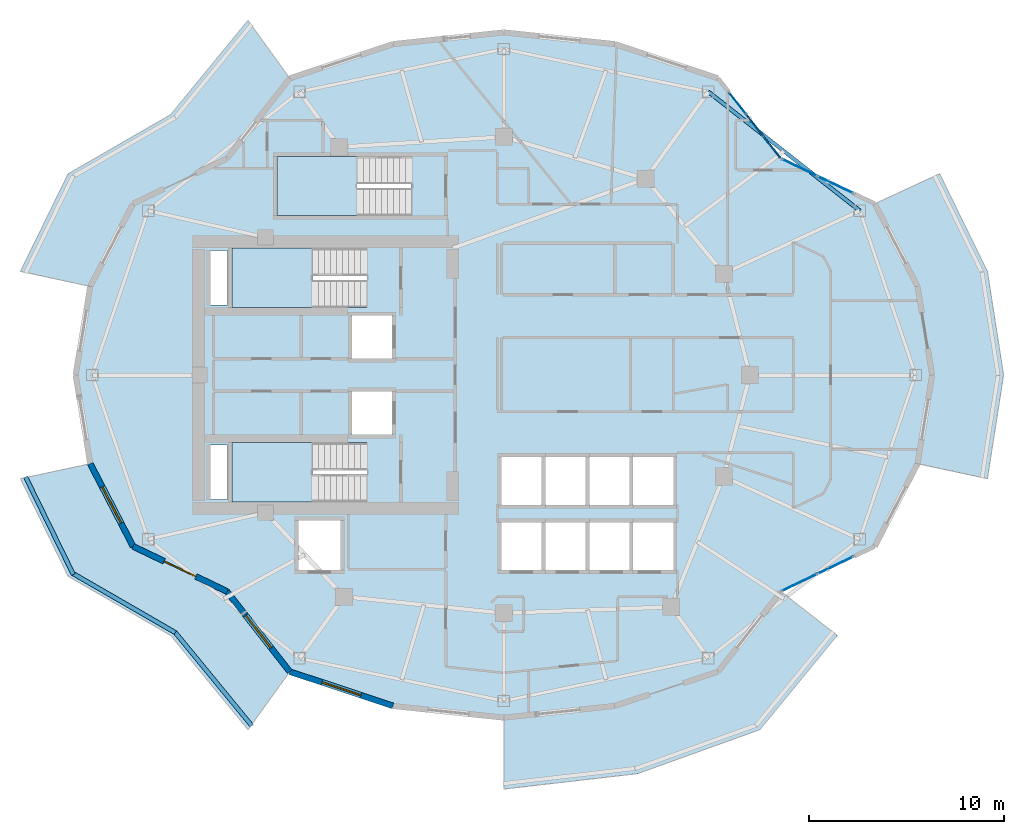
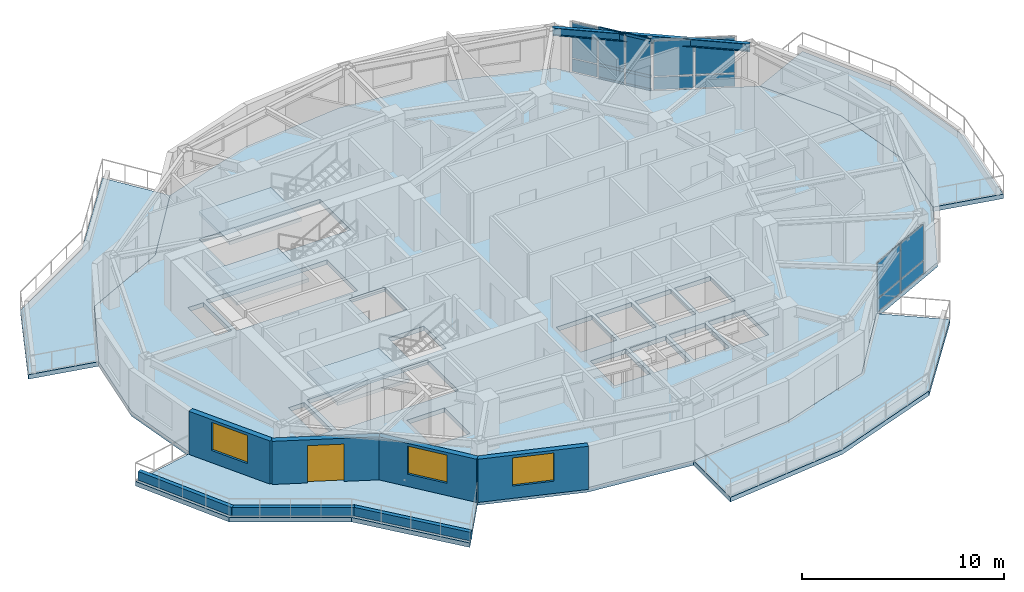
# One storey, part 4 of 13: 17 plates, 8 slabs, 7 walls, 6 members, 3 windows, 1 beam, 1 door, 4 openings, 6 elements without a shape of their own.
"""IFC4 building model written with IfcOpenShell, lengths in metres."""

from ifc_helpers import new_model, si_unit, direction, frame, frame_2d, origin, origin_2d, place, context, subcontext, project, spatial, polyline, rectangle, i_section, outline, extrude, material, layer, layer_set, material_profile, profile_set, type_object, element, fill, aggregate, save


model = new_model("IFC4")

# Units and contexts
model_context = context("Model", 3, precision=1e-05, world=origin(), true_north=direction((0.0, 1.0)))
body_context = subcontext(model_context, "Body", "Model", "MODEL_VIEW")
ifc_project = project(units=[si_unit("LENGTHUNIT", "METRE"), si_unit("AREAUNIT", "SQUARE_METRE"), si_unit("VOLUMEUNIT", "CUBIC_METRE"), si_unit("PLANEANGLEUNIT", "RADIAN"), si_unit("MASSUNIT", "GRAM", prefix="KILO")], contexts=[model_context])

# Site, building, storey
site_placement = place(None, origin())
site = spatial("IfcSite", under=ifc_project, at=site_placement, CompositionType="ELEMENT")
building_placement = place(site_placement, origin())
building = spatial("IfcBuilding", under=site, at=building_placement, Name="Kolvaren Gate Tower and Convention Centre", CompositionType="ELEMENT")
storey_placement = place(building_placement, frame((0.0, 0.0, 183.5)))
storey = spatial("IfcBuildingStorey", under=building, at=storey_placement, Name="L48", CompositionType="ELEMENT", Elevation=183.5)

# Curtain wall, members
ifc_material_1 = material(Name="Anodized Architectural Aluminium Alloy 6063-T6", Category="aluminium")
ifc_layer_1 = layer(ifc_material_1, 0.159912109375)
ifc_layer_set_1 = layer_set([ifc_layer_1], Name="Anodized Architectural Aluminium Alloy 6063-T6")
curtain_wall_type = type_object("IfcCurtainWallType", Name="CW-HTL-UNIT", PredefinedType="NOTDEFINED", material=ifc_layer_set_1)
curtain_wall_1_placement = place(storey_placement, origin())
curtain_wall_1 = element("IfcCurtainWall", 1, at=curtain_wall_1_placement, inside=storey, type_object=curtain_wall_type, Name="Tower L48 Unitised Curtain Wall CW-HTL-UNIT Bay 03", PredefinedType="NOTDEFINED")
ifc_material_profile_1 = material_profile(ifc_material_1, rectangle(XDim=0.06494140625, YDim=0.159912109375, at=origin_2d()), Name="CW-MEM-TRN-160")
ifc_profile_set_1 = profile_set([ifc_material_profile_1], Name="Anodized Architectural Aluminium Alloy 6063-T6")
member_type = type_object("IfcMemberType", Name="CW-MEM-TRN-160", PredefinedType="USERDEFINED", material=ifc_profile_set_1)
member_1_placement = place(storey_placement, frame((42.547119140625, 40.34228515625, 0.032470703125), z_axis=(0.616355825524, -0.787467774796, 0.0), x_axis=(0.787467774796, 0.616355825524, 0.0)))
member_1 = element("IfcMember", 2, at=member_1_placement, type_object=member_type, Name="CW-03 transom 2.1", ObjectType="TRANSOM", PredefinedType="USERDEFINED", context=body_context, shape_type="SweptSolid", body=[
    extrude(rectangle(XDim=0.06494140625, YDim=0.159912109375, at=origin_2d()), origin(), (0.0, 0.0, 1.0), 1.384033203125),
])
member_2_placement = place(storey_placement, frame((42.547119140625, 40.34228515625, 0.85009765625), z_axis=(0.616355825524, -0.787467774796, 0.0), x_axis=(0.787467774796, 0.616355825524, 0.0)))
member_2 = element("IfcMember", 3, at=member_2_placement, type_object=member_type, Name="CW-03 transom 2.2", ObjectType="TRANSOM", PredefinedType="USERDEFINED", context=body_context, shape_type="SweptSolid", body=[
    extrude(rectangle(XDim=0.06494140625, YDim=0.159912109375, at=origin_2d()), origin(), (0.0, 0.0, 1.0), 1.384033203125),
])
member_3_placement = place(storey_placement, frame((42.547119140625, 40.34228515625, 3.047607421875), z_axis=(0.616355825524, -0.787467774796, 0.0), x_axis=(0.787467774796, 0.616355825524, 0.0)))
member_3 = element("IfcMember", 4, at=member_3_placement, type_object=member_type, Name="CW-03 transom 2.3", ObjectType="TRANSOM", PredefinedType="USERDEFINED", context=body_context, shape_type="SweptSolid", body=[
    extrude(rectangle(XDim=0.06494140625, YDim=0.159912109375, at=origin_2d()), origin(), (0.0, 0.0, 1.0), 1.384033203125),
])
member_4_placement = place(storey_placement, frame((43.440185546875, 39.201416015625, 0.032470703125), z_axis=(0.616488451497, -0.787363949626, 0.0), x_axis=(0.787363949626, 0.616488451497, 0.0)))
member_4 = element("IfcMember", 5, at=member_4_placement, type_object=member_type, Name="CW-03 transom 3.1", ObjectType="TRANSOM", PredefinedType="USERDEFINED", context=body_context, shape_type="SweptSolid", body=[
    extrude(rectangle(XDim=0.06494140625, YDim=0.159912109375, at=origin_2d()), origin(), (0.0, 0.0, 1.0), 1.3515625),
])
member_5_placement = place(storey_placement, frame((43.440185546875, 39.201416015625, 0.85009765625), z_axis=(0.616488451497, -0.787363949626, 0.0), x_axis=(0.787363949626, 0.616488451497, 0.0)))
member_5 = element("IfcMember", 6, at=member_5_placement, type_object=member_type, Name="CW-03 transom 3.2", ObjectType="TRANSOM", PredefinedType="USERDEFINED", context=body_context, shape_type="SweptSolid", body=[
    extrude(rectangle(XDim=0.06494140625, YDim=0.159912109375, at=origin_2d()), origin(), (0.0, 0.0, 1.0), 1.3515625),
])
member_6_placement = place(storey_placement, frame((43.440185546875, 39.201416015625, 3.047607421875), z_axis=(0.616488451497, -0.787363949626, 0.0), x_axis=(0.787363949626, 0.616488451497, 0.0)))
member_6 = element("IfcMember", 7, at=member_6_placement, type_object=member_type, Name="CW-03 transom 3.3", ObjectType="TRANSOM", PredefinedType="USERDEFINED", context=body_context, shape_type="SweptSolid", body=[
    extrude(rectangle(XDim=0.06494140625, YDim=0.159912109375, at=origin_2d()), origin(), (0.0, 0.0, 1.0), 1.3515625),
])

# Beam
ifc_material_2 = material(Name="Structural steel ASTM A992 Grade 345 MPa", Category="steel")
ifc_material_profile_2 = material_profile(ifc_material_2, i_section(OverallWidth=0.194091796875, OverallDepth=0.468994140625, WebThickness=0.0126953125, FlangeThickness=0.0205078125, at=origin_2d()), Name="W460X106")
ifc_profile_set_2 = profile_set([ifc_material_profile_2], Name="Structural steel ASTM A992 Grade 345 MPa")
beam_type = type_object("IfcBeamType", Name="STR-SP-W460X106", PredefinedType="SPANDREL", material=ifc_profile_set_2)
beam_placement = place(storey_placement, frame((48.351806640625, 35.418701171875, 2.845458984375), z_axis=(-0.786450621777, 0.617653154697, 0.0), x_axis=(-0.617653154697, -0.786450621777, 0.0)))
element("IfcBeam", 8, at=beam_placement, inside=storey, type_object=beam_type, Name="Tower L48 Perimeter Spandrel Beam SP-02", PredefinedType="SPANDREL", context=body_context, shape_type="SweptSolid", body=[
    extrude(i_section(OverallWidth=0.194091796875, OverallDepth=0.468994140625, WebThickness=0.0126953125, FlangeThickness=0.0205078125, at=origin_2d()), origin(), (0.0, 0.0, 1.0), 9.861328125),
])

# Plates
ifc_material_3 = material(Name="Perforated Anodized Bronze Aluminium Sheet 6 mm", Category="aluminium")
ifc_layer_2 = layer(ifc_material_3, 0.011962890625)
ifc_layer_set_2 = layer_set([ifc_layer_2], Name="Perforated Anodized Bronze Aluminium Sheet 6 mm")
plate_type_1 = type_object("IfcPlateType", Name="ARCH-PL-SCREEN-PERF", PredefinedType="SHEET", material=ifc_layer_set_2)
for number, where, z_axis, x_axis, name in (
    (9, (46.718505859375, 36.930419921875, 2.23974609375), (0.0, 0.0, 1.0), (0.901358389955, -0.433073957723, 0.0), "Tower L48 Perforated Bronze Solar Screen SS-02"),
    (10, (42.70361328125, 40.142333984375, 2.23974609375), (0.0, 0.0, 1.0), (0.616434119112, -0.787406487651, 0.0), "Tower L48 Perforated Bronze Solar Screen SS-03"),
    (11, (46.718505859375, 17.069580078125, 2.23974609375), (0.0, 0.0, 1.0), (0.901358389955, 0.433073957723, 0.0), "Tower L48 Perforated Bronze Solar Screen SS-21"),
):
    element("IfcPlate", number, at=place(storey_placement, frame(where, z_axis=z_axis, x_axis=x_axis)), inside=storey, type_object=plate_type_1, Name=name, PredefinedType="SHEET", context=body_context, shape_type="SweptSolid", body=[
        extrude(rectangle(XDim=2.60009765625, YDim=0.011962890625, at=origin_2d()), origin(), (0.0, 0.0, 1.0), 0.840087890625),
    ])

# Curtain wall, plates
curtain_wall_2_placement = place(storey_placement, origin())
curtain_wall_2 = element("IfcCurtainWall", 12, at=curtain_wall_2_placement, inside=storey, type_object=curtain_wall_type, Name="Tower L48 Unitised Curtain Wall CW-HTL-UNIT Bay 02", PredefinedType="NOTDEFINED")
ifc_material_4 = material(Name="Low-E Triple Insulated Glazing Unit 44 mm", Category="glass")
ifc_layer_3 = layer(ifc_material_4, 0.0439453125)
ifc_layer_set_3 = layer_set([ifc_layer_3], Name="Low-E Triple Insulated Glazing Unit 44 mm")
plate_type_2 = type_object("IfcPlateType", Name="CW-PL-IGU-44", PredefinedType="CURTAIN_PANEL", material=ifc_layer_set_3)
plate_1_placement = place(storey_placement, frame((45.264404296875, 37.629150390625, 0.88232421875), z_axis=(0.0, 0.0, 1.0), x_axis=(0.901358493371, -0.433073742482, 0.0)))
plate_1 = element("IfcPlate", 13, at=plate_1_placement, type_object=plate_type_2, Name="CW-03 panel 1.2", PredefinedType="CURTAIN_PANEL", context=body_context, shape_type="SweptSolid", body=[
    extrude(rectangle(XDim=1.97998046875, YDim=0.0439453125, at=origin_2d()), origin(), (0.0, 0.0, 1.0), 2.132568359375),
])
plate_2_placement = place(storey_placement, frame((47.107666015625, 36.743408203125, 0.88232421875), z_axis=(0.0, 0.0, 1.0), x_axis=(0.901358493371, -0.433073742482, 0.0)))
plate_2 = element("IfcPlate", 14, at=plate_2_placement, type_object=plate_type_2, Name="CW-03 panel 2.2", PredefinedType="CURTAIN_PANEL", context=body_context, shape_type="SweptSolid", body=[
    extrude(rectangle(XDim=1.97998046875, YDim=0.0439453125, at=origin_2d()), origin(), (0.0, 0.0, 1.0), 2.132568359375),
])

# Plate
plate_3_placement = place(storey_placement, frame((42.09033203125, 40.925537109375, 0.88232421875), z_axis=(0.0, 0.0, 1.0), x_axis=(0.616437890084, -0.787403535469, 0.0)))
plate_3 = element("IfcPlate", 15, at=plate_3_placement, type_object=plate_type_2, Name="CW-03 panel 1.2", PredefinedType="CURTAIN_PANEL", context=body_context, shape_type="SweptSolid", body=[
    extrude(rectangle(XDim=1.3515625, YDim=0.0439453125, at=origin_2d()), origin(), (0.0, 0.0, 1.0), 2.132568359375),
])

plate_4_placement = place(storey_placement, frame((42.9736328125, 39.79736328125, 0.88232421875), z_axis=(0.0, 0.0, 1.0), x_axis=(0.616437890084, -0.787403535469, 0.0)))
plate_4 = element("IfcPlate", 16, at=plate_4_placement, type_object=plate_type_2, Name="CW-03 panel 2.2", PredefinedType="CURTAIN_PANEL", context=body_context, shape_type="SweptSolid", body=[
    extrude(rectangle(XDim=1.384033203125, YDim=0.0439453125, at=origin_2d()), origin(), (0.0, 0.0, 1.0), 2.132568359375),
])

plate_5_placement = place(storey_placement, frame((43.85693359375, 38.669189453125, 0.88232421875), z_axis=(0.0, 0.0, 1.0), x_axis=(0.616437890084, -0.787403535469, 0.0)))
plate_5 = element("IfcPlate", 17, at=plate_5_placement, type_object=plate_type_2, Name="CW-03 panel 3.2", PredefinedType="CURTAIN_PANEL", context=body_context, shape_type="SweptSolid", body=[
    extrude(rectangle(XDim=1.3515625, YDim=0.0439453125, at=origin_2d()), origin(), (0.0, 0.0, 1.0), 2.132568359375),
])

# Curtain wall, plates
curtain_wall_3_placement = place(storey_placement, origin())
curtain_wall_3 = element("IfcCurtainWall", 18, at=curtain_wall_3_placement, inside=storey, type_object=curtain_wall_type, Name="Tower L48 Unitised Curtain Wall CW-HTL-UNIT Bay 21", PredefinedType="NOTDEFINED")
plate_6_placement = place(storey_placement, frame((45.264404296875, 16.370849609375, 0.88232421875), z_axis=(0.0, 0.0, 1.0), x_axis=(0.901358493371, 0.433073742482, 0.0)))
plate_6 = element("IfcPlate", 19, at=plate_6_placement, type_object=plate_type_2, Name="CW-03 panel 1.2", PredefinedType="CURTAIN_PANEL", context=body_context, shape_type="SweptSolid", body=[
    extrude(rectangle(XDim=1.97998046875, YDim=0.0439453125, at=origin_2d()), origin(), (0.0, 0.0, 1.0), 2.132568359375),
])
plate_7_placement = place(storey_placement, frame((47.107666015625, 17.256591796875, 0.88232421875), z_axis=(0.0, 0.0, 1.0), x_axis=(0.901358493371, 0.433073742482, 0.0)))
plate_7 = element("IfcPlate", 20, at=plate_7_placement, type_object=plate_type_2, Name="CW-03 panel 2.2", PredefinedType="CURTAIN_PANEL", context=body_context, shape_type="SweptSolid", body=[
    extrude(rectangle(XDim=1.97998046875, YDim=0.0439453125, at=origin_2d()), origin(), (0.0, 0.0, 1.0), 2.132568359375),
])

# Plate
ifc_material_5 = material(Name="Solar-Control Laminated Curtain Glazing 36 mm", Category="glass")
ifc_layer_4 = layer(ifc_material_5, 0.035888671875)
ifc_layer_set_4 = layer_set([ifc_layer_4], Name="Solar-Control Laminated Curtain Glazing 36 mm")
plate_type_3 = type_object("IfcPlateType", Name="CW-PL-SPAN-36", PredefinedType="CURTAIN_PANEL", material=ifc_layer_set_4)
plate_8_placement = place(storey_placement, frame((45.264404296875, 37.629150390625, 0.06494140625), z_axis=(0.0, 0.0, 1.0), x_axis=(0.901358493371, -0.433073742482, 0.0)))
plate_8 = element("IfcPlate", 21, at=plate_8_placement, type_object=plate_type_3, Name="CW-03 panel 1.1", PredefinedType="CURTAIN_PANEL", context=body_context, shape_type="SweptSolid", body=[
    extrude(rectangle(XDim=1.97998046875, YDim=0.035888671875, at=origin_2d()), origin(), (0.0, 0.0, 1.0), 0.75244140625),
])

plate_9_placement = place(storey_placement, frame((47.107666015625, 36.743408203125, 0.06494140625), z_axis=(0.0, 0.0, 1.0), x_axis=(0.901358493371, -0.433073742482, 0.0)))
plate_9 = element("IfcPlate", 22, at=plate_9_placement, type_object=plate_type_3, Name="CW-03 panel 2.1", PredefinedType="CURTAIN_PANEL", context=body_context, shape_type="SweptSolid", body=[
    extrude(rectangle(XDim=1.97998046875, YDim=0.035888671875, at=origin_2d()), origin(), (0.0, 0.0, 1.0), 0.75244140625),
])

aggregate(curtain_wall_2, [plate_8, plate_1, plate_9, plate_2])

plate_10_placement = place(storey_placement, frame((42.09033203125, 40.925537109375, 0.06494140625), z_axis=(0.0, 0.0, 1.0), x_axis=(0.616437890084, -0.787403535469, 0.0)))
plate_10 = element("IfcPlate", 23, at=plate_10_placement, type_object=plate_type_3, Name="CW-03 panel 1.1", PredefinedType="CURTAIN_PANEL", context=body_context, shape_type="SweptSolid", body=[
    extrude(rectangle(XDim=1.3515625, YDim=0.035888671875, at=origin_2d()), origin(), (0.0, 0.0, 1.0), 0.75244140625),
])

plate_11_placement = place(storey_placement, frame((42.9736328125, 39.79736328125, 0.06494140625), z_axis=(0.0, 0.0, 1.0), x_axis=(0.616437890084, -0.787403535469, 0.0)))
plate_11 = element("IfcPlate", 24, at=plate_11_placement, type_object=plate_type_3, Name="CW-03 panel 2.1", PredefinedType="CURTAIN_PANEL", context=body_context, shape_type="SweptSolid", body=[
    extrude(rectangle(XDim=1.384033203125, YDim=0.035888671875, at=origin_2d()), origin(), (0.0, 0.0, 1.0), 0.75244140625),
])

plate_12_placement = place(storey_placement, frame((43.85693359375, 38.669189453125, 0.06494140625), z_axis=(0.0, 0.0, 1.0), x_axis=(0.616437890084, -0.787403535469, 0.0)))
plate_12 = element("IfcPlate", 25, at=plate_12_placement, type_object=plate_type_3, Name="CW-03 panel 3.1", PredefinedType="CURTAIN_PANEL", context=body_context, shape_type="SweptSolid", body=[
    extrude(rectangle(XDim=1.3515625, YDim=0.035888671875, at=origin_2d()), origin(), (0.0, 0.0, 1.0), 0.75244140625),
])

aggregate(curtain_wall_1, [plate_10, plate_3, member_1, member_2, member_3, plate_11, plate_4, member_4, member_5, member_6, plate_12, plate_5])

plate_13_placement = place(storey_placement, frame((45.264404296875, 16.370849609375, 0.06494140625), z_axis=(0.0, 0.0, 1.0), x_axis=(0.901358493371, 0.433073742482, 0.0)))
plate_13 = element("IfcPlate", 26, at=plate_13_placement, type_object=plate_type_3, Name="CW-03 panel 1.1", PredefinedType="CURTAIN_PANEL", context=body_context, shape_type="SweptSolid", body=[
    extrude(rectangle(XDim=1.97998046875, YDim=0.035888671875, at=origin_2d()), origin(), (0.0, 0.0, 1.0), 0.75244140625),
])

plate_14_placement = place(storey_placement, frame((47.107666015625, 17.256591796875, 0.06494140625), z_axis=(0.0, 0.0, 1.0), x_axis=(0.901358493371, 0.433073742482, 0.0)))
plate_14 = element("IfcPlate", 27, at=plate_14_placement, type_object=plate_type_3, Name="CW-03 panel 2.1", PredefinedType="CURTAIN_PANEL", context=body_context, shape_type="SweptSolid", body=[
    extrude(rectangle(XDim=1.97998046875, YDim=0.035888671875, at=origin_2d()), origin(), (0.0, 0.0, 1.0), 0.75244140625),
])

aggregate(curtain_wall_3, [plate_13, plate_6, plate_14, plate_7])

# Slabs
ifc_material_6 = material(Name="Concrete C50/60", Category="concrete")
ifc_layer_5 = layer(ifc_material_6, 0.27001953125)
ifc_layer_set_5 = layer_set([ifc_layer_5], Name="Concrete C50/60")
slab_type_1 = type_object("IfcSlabType", Name="STR-SL-BALC-270", PredefinedType="FLOOR", material=ifc_layer_set_5)
slab_1_placement = place(storey_placement, frame((0.0, 0.0, -0.27001953125)))
element("IfcSlab", 28, at=slab_1_placement, inside=storey, type_object=slab_type_1, Name="Tower L48 Planted Balcony Terrace Slab 1 (West)", PredefinedType="FLOOR", context=body_context, shape_type="SweptSolid", body=[
    extrude(outline(polyline([(19.15625, 42.19873046875), (15.9365234375, 38.0859375), (11.126708984375, 35.77490234375), (8.93505859375, 31.542236328125), (5.356201171875, 32.309326171875), (7.803955078125, 37.309814453125), (13.052490234375, 40.33935546875), (17.014404296875, 45.16650390625), (19.15625, 42.19873046875)])), origin(), (0.0, 0.0, 1.0), 0.27001953125),
])
slab_2_placement = place(storey_placement, frame((0.0, 0.0, -0.27001953125)))
element("IfcSlab", 29, at=slab_2_placement, inside=storey, type_object=slab_type_1, Name="Tower L48 Planted Balcony Terrace Slab 2 (West)", PredefinedType="FLOOR", context=body_context, shape_type="SweptSolid", body=[
    extrude(outline(polyline([(8.93505859375, 22.457763671875), (11.126708984375, 18.22509765625), (15.9365234375, 15.9140625), (19.15625, 11.80126953125), (17.014404296875, 8.83349609375), (13.052490234375, 13.66064453125), (7.803955078125, 16.690185546875), (5.356201171875, 21.690673828125), (8.93505859375, 22.457763671875)])), origin(), (0.0, 0.0, 1.0), 0.27001953125),
])
slab_3_placement = place(storey_placement, frame((0.0, 0.0, -0.27001953125)))
element("IfcSlab", 30, at=slab_3_placement, inside=storey, type_object=slab_type_1, Name="Tower L48 Planted Balcony Terrace Slab 3 (South)", PredefinedType="FLOOR", context=body_context, shape_type="SweptSolid", body=[
    extrude(outline(polyline([(30.125, 9.449951171875), (35.802734375, 10.048095703125), (41.09375, 11.80126953125), (44.3134765625, 15.9140625), (47.197509765625, 13.66064453125), (43.235595703125, 8.83349609375), (36.965087890625, 6.577392578125), (30.125, 5.7900390625), (30.125, 9.449951171875)])), origin(), (0.0, 0.0, 1.0), 0.27001953125),
])
slab_4_placement = place(storey_placement, frame((0.0, 0.0, -0.27001953125)))
element("IfcSlab", 31, at=slab_4_placement, inside=storey, type_object=slab_type_1, Name="Tower L48 Planted Balcony Terrace Slab 4 (East)", PredefinedType="FLOOR", context=body_context, shape_type="SweptSolid", body=[
    extrude(outline(polyline([(51.31494140625, 22.457763671875), (52.0625, 27.0), (51.31494140625, 31.542236328125), (49.123291015625, 35.77490234375), (52.446044921875, 37.309814453125), (54.893798828125, 32.309326171875), (55.722412109375, 27.0), (54.893798828125, 21.690673828125), (51.31494140625, 22.457763671875)])), origin(), (0.0, 0.0, 1.0), 0.27001953125),
])
ifc_material_7 = material(Name="Concrete C40/50", Category="concrete")
ifc_layer_6 = layer(ifc_material_7, 0.27001953125)
ifc_layer_set_6 = layer_set([ifc_layer_6], Name="Concrete C40/50")
slab_type_2 = type_object("IfcSlabType", Name="STR-SL-FLR-270", PredefinedType="FLOOR", material=ifc_layer_set_6)
slab_5_placement = place(storey_placement, frame((0.0, 0.0, -0.27001953125)))
element("IfcSlab", 32, at=slab_5_placement, inside=storey, type_object=slab_type_2, Name="Tower L48 Structural Floor Slab", PredefinedType="FLOOR", context=body_context, shape_type="SweptSolid", body=[
    extrude(outline(polyline([(52.0625, 27.0), (51.31494140625, 31.542236328125), (49.123291015625, 35.77490234375), (44.3134765625, 38.0859375), (41.09375, 42.19873046875), (35.802734375, 43.951904296875), (30.125, 44.550048828125), (24.447265625, 43.951904296875), (19.15625, 42.19873046875), (15.9365234375, 38.0859375), (11.126708984375, 35.77490234375), (8.93505859375, 31.542236328125), (8.1875, 27.0), (8.93505859375, 22.457763671875), (11.126708984375, 18.22509765625), (15.9365234375, 15.9140625), (19.15625, 11.80126953125), (24.447265625, 10.048095703125), (30.125, 9.449951171875), (35.802734375, 10.048095703125), (41.09375, 11.80126953125), (44.3134765625, 15.9140625), (49.123291015625, 18.22509765625), (51.31494140625, 22.457763671875), (52.0625, 27.0)]), holes=[polyline([(36.75, 17.0), (36.75, 19.449951171875), (38.800048828125, 19.449951171875), (38.800048828125, 17.0), (36.75, 17.0)]), polyline([(36.75, 20.35009765625), (36.75, 22.800048828125), (38.800048828125, 22.800048828125), (38.800048828125, 20.35009765625), (36.75, 20.35009765625)]), polyline([(34.5, 17.0), (34.5, 19.449951171875), (36.550048828125, 19.449951171875), (36.550048828125, 17.0), (34.5, 17.0)]), polyline([(34.5, 20.35009765625), (34.5, 22.800048828125), (36.550048828125, 22.800048828125), (36.550048828125, 20.35009765625), (34.5, 20.35009765625)]), polyline([(32.25, 17.0), (32.25, 19.449951171875), (34.300048828125, 19.449951171875), (34.300048828125, 17.0), (32.25, 17.0)]), polyline([(32.25, 20.35009765625), (32.25, 22.800048828125), (34.300048828125, 22.800048828125), (34.300048828125, 20.35009765625), (32.25, 20.35009765625)]), polyline([(30.0, 17.0), (30.0, 19.449951171875), (32.050048828125, 19.449951171875), (32.050048828125, 17.0), (30.0, 17.0)]), polyline([(30.0, 20.35009765625), (30.0, 22.800048828125), (32.050048828125, 22.800048828125), (32.050048828125, 20.35009765625), (30.0, 20.35009765625)]), polyline([(25.39990234375, 38.199951171875), (25.39990234375, 35.159912109375), (18.5, 35.159912109375), (18.5, 38.199951171875), (25.39990234375, 38.199951171875)]), polyline([(22.35009765625, 23.9599609375), (22.35009765625, 26.159912109375), (24.39990234375, 26.159912109375), (24.39990234375, 23.9599609375), (22.35009765625, 23.9599609375)]), polyline([(22.35009765625, 27.840087890625), (22.35009765625, 30.0400390625), (24.39990234375, 30.0400390625), (24.39990234375, 27.840087890625), (22.35009765625, 27.840087890625)]), polyline([(23.10009765625, 23.5400390625), (23.10009765625, 20.5), (16.199951171875, 20.5), (16.199951171875, 23.5400390625), (23.10009765625, 23.5400390625)]), polyline([(23.10009765625, 33.5), (23.10009765625, 30.4599609375), (16.199951171875, 30.4599609375), (16.199951171875, 33.5), (23.10009765625, 33.5)]), polyline([(19.60009765625, 17.0), (19.60009765625, 19.550048828125), (21.75, 19.550048828125), (21.75, 17.0), (19.60009765625, 17.0)]), polyline([(15.080078125, 20.6298828125), (15.080078125, 23.419921875), (15.969970703125, 23.419921875), (15.969970703125, 20.6298828125), (15.080078125, 20.6298828125)]), polyline([(15.080078125, 30.580078125), (15.080078125, 33.3701171875), (15.969970703125, 33.3701171875), (15.969970703125, 30.580078125), (15.080078125, 30.580078125)])]), origin(), (0.0, 0.0, 1.0), 0.27001953125),
])

# Stair, slab
stair_type = type_object("IfcStairType", Name="STR-STAIR-CORE", PredefinedType="HALF_TURN_STAIR", material=ifc_material_6)
stair_1_placement = place(storey_placement, origin())
stair_1 = element("IfcStair", 33, at=stair_1_placement, inside=storey, type_object=stair_type, Name="L48 Tower North Exit Stair ST-T1", PredefinedType="HALF_TURN_STAIR")
ifc_layer_7 = layer(ifc_material_6, 0.199951171875)
ifc_layer_set_7 = layer_set([ifc_layer_7], Name="Concrete C50/60")
slab_type_3 = type_object("IfcSlabType", Name="STR-SL-LAND-200", PredefinedType="LANDING", material=ifc_layer_set_7)
slab_6_placement = place(storey_placement, frame((0.0, 0.0, 1.5)))
slab_6 = element("IfcSlab", 34, at=slab_6_placement, type_object=slab_type_3, Name="ST-T1 landing 1", PredefinedType="LANDING", context=body_context, shape_type="SweptSolid", body=[
    extrude(outline(polyline([(20.31005859375, 33.5), (16.199951171875, 33.5), (16.199951171875, 30.4599609375), (20.31005859375, 30.4599609375), (20.31005859375, 33.5)])), origin(), (0.0, 0.0, 1.0), 0.199951171875),
])
aggregate(stair_1, [slab_6])

stair_2_placement = place(storey_placement, origin())
stair_2 = element("IfcStair", 35, at=stair_2_placement, inside=storey, type_object=stair_type, Name="L48 Tower South Exit Stair ST-T2", PredefinedType="HALF_TURN_STAIR")
slab_7_placement = place(storey_placement, frame((0.0, 0.0, 1.5)))
slab_7 = element("IfcSlab", 36, at=slab_7_placement, type_object=slab_type_3, Name="ST-T2 landing 1", PredefinedType="LANDING", context=body_context, shape_type="SweptSolid", body=[
    extrude(outline(polyline([(20.31005859375, 23.5400390625), (16.199951171875, 23.5400390625), (16.199951171875, 20.5), (20.31005859375, 20.5), (20.31005859375, 23.5400390625)])), origin(), (0.0, 0.0, 1.0), 0.199951171875),
])
aggregate(stair_2, [slab_7])

stair_3_placement = place(storey_placement, origin())
stair_3 = element("IfcStair", 37, at=stair_3_placement, inside=storey, type_object=stair_type, Name="L48 Tower Mid-Zone Exit Stair ST-T3", PredefinedType="HALF_TURN_STAIR")
slab_8_placement = place(storey_placement, frame((0.0, 0.0, 1.5)))
slab_8 = element("IfcSlab", 38, at=slab_8_placement, type_object=slab_type_3, Name="ST-T3 landing 1", PredefinedType="LANDING", context=body_context, shape_type="SweptSolid", body=[
    extrude(outline(polyline([(22.610107421875, 38.199951171875), (18.5, 38.199951171875), (18.5, 35.159912109375), (22.610107421875, 35.159912109375), (22.610107421875, 38.199951171875)])), origin(), (0.0, 0.0, 1.0), 0.199951171875),
])
aggregate(stair_3, [slab_8])

# Walls
ifc_material_8 = material(Name="Piedmont Cream Honed Limestone Cladding", Category="masonry")
ifc_layer_8 = layer(ifc_material_8, 0.219970703125)
ifc_layer_set_8 = layer_set([ifc_layer_8], Name="Piedmont Cream Honed Limestone Cladding")
wall_type_1 = type_object("IfcWallType", Name="ARCH-WL-PLANTER-220", PredefinedType="PARAPET", material=ifc_layer_set_8)
wall_1_placement = place(storey_placement, frame((5.6220703125, 21.77880859375, 0.0), z_axis=(0.0, 0.0, 1.0), x_axis=(0.439637174641, -0.898175458735, 0.0)))
element("IfcWall", 39, at=wall_1_placement, inside=storey, type_object=wall_type_1, Name="Vertical-Forest Balcony Stone Planter Kerb PK-L48-2.1", PredefinedType="PARAPET", context=body_context, shape_type="SweptSolid", body=[
    extrude(rectangle(XDim=5.567138671875, YDim=0.219970703125, at=frame_2d((2.78369140625, 0.0))), origin(), (0.0, 0.0, 1.0), 0.52001953125),
])
wall_2_placement = place(storey_placement, frame((8.0439453125, 16.83447265625, 0.0), z_axis=(0.0, 0.0, 1.0), x_axis=(0.866058128659, -0.499943314571, 0.0)))
element("IfcWall", 40, at=wall_2_placement, inside=storey, type_object=wall_type_1, Name="Vertical-Forest Balcony Stone Planter Kerb PK-L48-2.2", PredefinedType="PARAPET", context=body_context, shape_type="SweptSolid", body=[
    extrude(rectangle(XDim=6.060302734375, YDim=0.219970703125, at=frame_2d((3.0302734375, 0.0))), origin(), (0.0, 0.0, 1.0), 0.52001953125),
])
wall_3_placement = place(storey_placement, frame((13.24609375, 13.86279296875, 0.0), z_axis=(0.0, 0.0, 1.0), x_axis=(0.634429234628, -0.77298094818, 0.0)))
element("IfcWall", 41, at=wall_3_placement, inside=storey, type_object=wall_type_1, Name="Vertical-Forest Balcony Stone Planter Kerb PK-L48-2.3", PredefinedType="PARAPET", context=body_context, shape_type="SweptSolid", body=[
    extrude(rectangle(XDim=6.244873046875, YDim=0.219970703125, at=frame_2d((3.12255859375, 0.0))), origin(), (0.0, 0.0, 1.0), 0.52001953125),
])

# Wall, opening, window
ifc_layer_9 = layer(ifc_material_8, 0.300048828125)
ifc_layer_set_9 = layer_set([ifc_layer_9], Name="Piedmont Cream Honed Limestone Cladding")
wall_type_2 = type_object("IfcWallType", Name="ARCH-WL-STONE-300", PredefinedType="SOLIDWALL", material=ifc_layer_set_9)
wall_4_placement = place(storey_placement, frame((8.93505859375, 22.457763671875, 0.0), z_axis=(0.0, 0.0, 1.0), x_axis=(0.459810251451, -0.888017191647, 0.0)))
wall_4 = element("IfcWall", 42, at=wall_4_placement, inside=storey, type_object=wall_type_2, Name="Tower L48 Honed Stone Spandrel Wall EW-13", PredefinedType="SOLIDWALL", context=body_context, shape_type="SweptSolid", body=[
    extrude(rectangle(XDim=4.766357421875, YDim=0.300048828125, at=frame_2d((2.38330078125, 0.0))), origin(), (0.0, 0.0, 1.0), 2.60302734375),
])
opening_1_placement = place(wall_4_placement, frame((1.3330078125, 0.0, 0.739990234375)))
opening_1 = element("IfcOpeningElement", 43, at=opening_1_placement, cuts=wall_4, Name="Opening W-02", PredefinedType="OPENING", context=body_context, shape_type="SweptSolid", body=[
    extrude(rectangle(XDim=2.10009765625, YDim=1.699951171875, at=frame_2d((1.050048828125, 0.85009765625))), frame((0.0, 0.159912109375, 0.0), z_axis=(0.0, -1.0, 0.0), x_axis=(1.0, 0.0, 0.0)), (0.0, 0.0, 1.0), 0.320068359375),
])
window_type = type_object("IfcWindowType", Name="ARCH-WN-HTL-2100", PartitioningType="SINGLE_PANEL", PredefinedType="WINDOW", material=ifc_material_4)
window_1_placement = place(opening_1_placement, origin())
window_1 = element("IfcWindow", 44, at=window_1_placement, inside=storey, type_object=window_type, Name="Tower L48 Punched Stone Facade Window W-13", OverallHeight=1.699951171875, OverallWidth=2.10009765625, PartitioningType="SINGLE_PANEL", PredefinedType="WINDOW", context=body_context, shape_type="SweptSolid", body=[
    extrude(rectangle(XDim=2.10009765625, YDim=1.699951171875, at=frame_2d((1.050048828125, 0.85009765625))), frame((0.0, 0.030029296875, 0.0), z_axis=(0.0, -1.0, 0.0), x_axis=(1.0, 0.0, 0.0)), (0.0, 0.0, 1.0), 0.06005859375),
])
fill(opening_1, window_1)

# Wall, opening, door
wall_5_placement = place(storey_placement, frame((11.126708984375, 18.22509765625, 0.0), z_axis=(0.0, 0.0, 1.0), x_axis=(0.901353070301, -0.433085029363, 0.0)))
wall_5 = element("IfcWall", 45, at=wall_5_placement, inside=storey, type_object=wall_type_2, Name="Tower L48 Honed Stone Spandrel Wall EW-14", PredefinedType="SOLIDWALL", context=body_context, shape_type="SweptSolid", body=[
    extrude(rectangle(XDim=5.336181640625, YDim=0.300048828125, at=frame_2d((2.66796875, 0.0))), origin(), (0.0, 0.0, 1.0), 2.60302734375),
])
opening_2_placement = place(wall_5_placement, frame((1.76806640625, 0.0, 0.0)))
opening_2 = element("IfcOpeningElement", 46, at=opening_2_placement, cuts=wall_5, Name="Opening DB-01", PredefinedType="OPENING", context=body_context, shape_type="SweptSolid", body=[
    extrude(rectangle(XDim=1.800048828125, YDim=2.25, at=frame_2d((0.89990234375, 1.125))), frame((0.0, 0.159912109375, 0.0), z_axis=(0.0, -1.0, 0.0), x_axis=(1.0, 0.0, 0.0)), (0.0, 0.0, 1.0), 0.320068359375),
])
door_type = type_object("IfcDoorType", Name="ARCH-DR-BALC-1800", OperationType="SLIDING_TO_LEFT", PredefinedType="DOOR", material=ifc_material_1)
door_placement = place(opening_2_placement, frame((1.800048828125, 0.0, 0.0), z_axis=(0.0, 0.0, 1.0), x_axis=(-1.0, 0.0, 0.0)))
door = element("IfcDoor", 47, at=door_placement, inside=storey, type_object=door_type, Name="Planted Sky Terrace Access Door DB-L48-14", OperationType="SLIDING_TO_LEFT", OverallHeight=2.25, OverallWidth=1.800048828125, PredefinedType="DOOR", context=body_context, shape_type="SweptSolid", body=[
    extrude(rectangle(XDim=1.800048828125, YDim=2.25, at=frame_2d((0.89990234375, 1.125))), frame((0.0, 0.02490234375, 0.0), z_axis=(0.0, -1.0, 0.0), x_axis=(1.0, 0.0, 0.0)), (0.0, 0.0, 1.0), 0.050048828125),
])
fill(opening_2, door)

# Wall, opening, window
wall_6_placement = place(storey_placement, frame((15.9365234375, 15.9140625, 0.0), z_axis=(0.0, 0.0, 1.0), x_axis=(0.616429245738, -0.787410302828, 0.0)))
wall_6 = element("IfcWall", 48, at=wall_6_placement, inside=storey, type_object=wall_type_2, Name="Tower L48 Honed Stone Spandrel Wall EW-15", PredefinedType="SOLIDWALL", context=body_context, shape_type="SweptSolid", body=[
    extrude(rectangle(XDim=5.22314453125, YDim=0.300048828125, at=frame_2d((2.611572265625, 0.0))), origin(), (0.0, 0.0, 1.0), 2.60302734375),
])
opening_3_placement = place(wall_6_placement, frame((1.56201171875, 0.0, 0.739990234375)))
opening_3 = element("IfcOpeningElement", 49, at=opening_3_placement, cuts=wall_6, Name="Opening W-02", PredefinedType="OPENING", context=body_context, shape_type="SweptSolid", body=[
    extrude(rectangle(XDim=2.10009765625, YDim=1.699951171875, at=frame_2d((1.050048828125, 0.85009765625))), frame((0.0, 0.159912109375, 0.0), z_axis=(0.0, -1.0, 0.0), x_axis=(1.0, 0.0, 0.0)), (0.0, 0.0, 1.0), 0.320068359375),
])
window_2_placement = place(opening_3_placement, origin())
window_2 = element("IfcWindow", 50, at=window_2_placement, inside=storey, type_object=window_type, Name="Tower L48 Punched Stone Facade Window W-15", OverallHeight=1.699951171875, OverallWidth=2.10009765625, PartitioningType="SINGLE_PANEL", PredefinedType="WINDOW", context=body_context, shape_type="SweptSolid", body=[
    extrude(rectangle(XDim=2.10009765625, YDim=1.699951171875, at=frame_2d((1.050048828125, 0.85009765625))), frame((0.0, 0.030029296875, 0.0), z_axis=(0.0, -1.0, 0.0), x_axis=(1.0, 0.0, 0.0)), (0.0, 0.0, 1.0), 0.06005859375),
])
fill(opening_3, window_2)

wall_7_placement = place(storey_placement, frame((19.15625, 11.80126953125, 0.0), z_axis=(0.0, 0.0, 1.0), x_axis=(0.949246811547, -0.314532177636, 0.0)))
wall_7 = element("IfcWall", 51, at=wall_7_placement, inside=storey, type_object=wall_type_2, Name="Tower L48 Honed Stone Spandrel Wall EW-16", PredefinedType="SOLIDWALL", context=body_context, shape_type="SweptSolid", body=[
    extrude(rectangle(XDim=5.573974609375, YDim=0.300048828125, at=frame_2d((2.787109375, 0.0))), origin(), (0.0, 0.0, 1.0), 2.60302734375),
])
opening_4_placement = place(wall_7_placement, frame((1.737060546875, 0.0, 0.739990234375)))
opening_4 = element("IfcOpeningElement", 52, at=opening_4_placement, cuts=wall_7, Name="Opening W-02", PredefinedType="OPENING", context=body_context, shape_type="SweptSolid", body=[
    extrude(rectangle(XDim=2.10009765625, YDim=1.699951171875, at=frame_2d((1.050048828125, 0.85009765625))), frame((0.0, 0.159912109375, 0.0), z_axis=(0.0, -1.0, 0.0), x_axis=(1.0, 0.0, 0.0)), (0.0, 0.0, 1.0), 0.320068359375),
])
window_3_placement = place(opening_4_placement, origin())
window_3 = element("IfcWindow", 53, at=window_3_placement, inside=storey, type_object=window_type, Name="Tower L48 Punched Stone Facade Window W-16", OverallHeight=1.699951171875, OverallWidth=2.10009765625, PartitioningType="SINGLE_PANEL", PredefinedType="WINDOW", context=body_context, shape_type="SweptSolid", body=[
    extrude(rectangle(XDim=2.10009765625, YDim=1.699951171875, at=frame_2d((1.050048828125, 0.85009765625))), frame((0.0, 0.030029296875, 0.0), z_axis=(0.0, -1.0, 0.0), x_axis=(1.0, 0.0, 0.0)), (0.0, 0.0, 1.0), 0.06005859375),
])
fill(opening_4, window_3)

save(model, "model.ifc")
